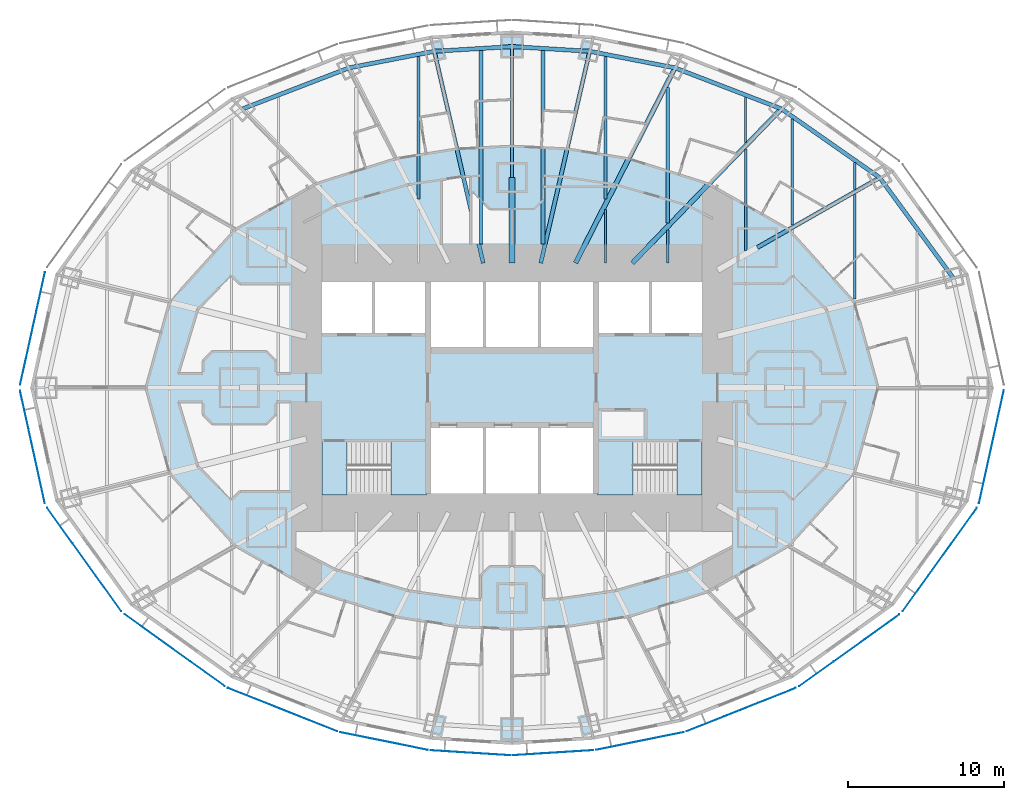
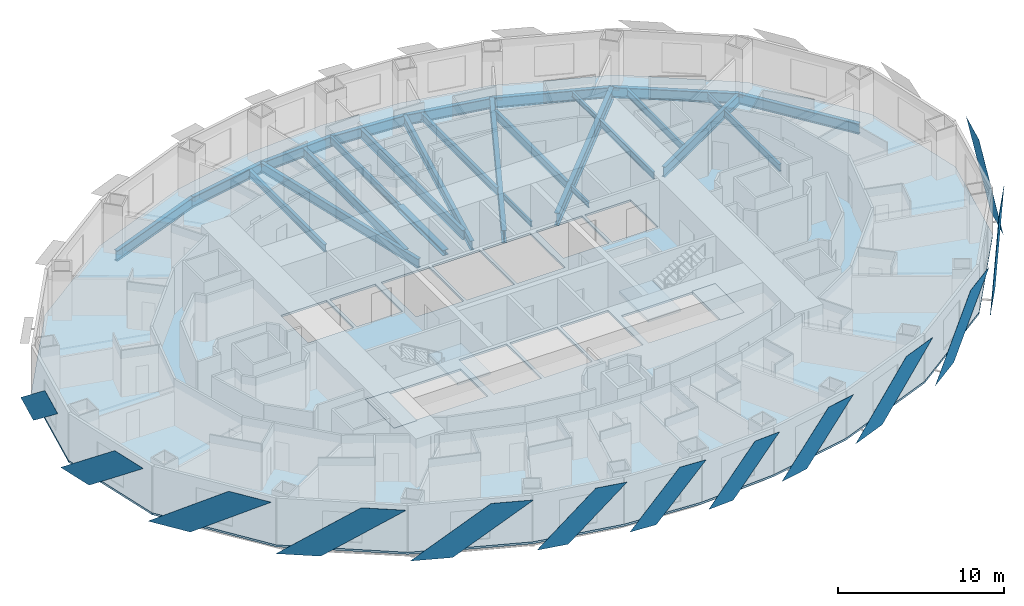
# One storey, part 3 of 17: 27 beams, 13 plates, 5 slabs, 2 elements without a shape of their own.
"""IFC4 building model written with IfcOpenShell, lengths in metres."""

from ifc_helpers import new_model, si_unit, direction, frame, origin, origin_2d, place, context, subcontext, project, spatial, polyline, i_section, outline, extrude, material, layer, layer_set, material_profile, profile_set, type_object, element, aggregate, save


model = new_model("IFC4")

# Units and contexts
model_context = context("Model", 3, precision=1e-05, world=origin(), true_north=direction((0.0, 1.0)))
body_context = subcontext(model_context, "Body", "Model", "MODEL_VIEW")
ifc_project = project(units=[si_unit("LENGTHUNIT", "METRE"), si_unit("AREAUNIT", "SQUARE_METRE"), si_unit("VOLUMEUNIT", "CUBIC_METRE"), si_unit("PLANEANGLEUNIT", "RADIAN"), si_unit("MASSUNIT", "GRAM", prefix="KILO")], contexts=[model_context])

# Site, building, storey
site_placement = place(None, origin())
site = spatial("IfcSite", under=ifc_project, at=site_placement, CompositionType="ELEMENT")
building_placement = place(site_placement, origin())
building = spatial("IfcBuilding", under=site, at=building_placement, Name="Lantaw Convention Tower", CompositionType="ELEMENT")
storey_placement = place(building_placement, frame((0.0, 0.0, 37.0)))
storey = spatial("IfcBuildingStorey", under=building, at=storey_placement, Name="L06", CompositionType="ELEMENT", Elevation=37.0)

# Beams
ifc_material_1 = material(Name="Steel ASTM A992", Category="steel")
ifc_material_profile_1 = material_profile(ifc_material_1, i_section(OverallWidth=0.2666015625, OverallDepth=0.76953125, WebThickness=0.015625, FlangeThickness=0.025390625, FilletRadius=0.0126953125, at=origin_2d()), Name="W30X132")
ifc_profile_set_1 = profile_set([ifc_material_profile_1], Name="Steel ASTM A992")
beam_type_1 = type_object("IfcBeamType", Name="Beam E W30X132", PredefinedType="SPANDREL", material=ifc_profile_set_1)
beam_1_placement = place(storey_placement, frame((28.31787109375, 7.060302734375, -0.534912109375), z_axis=(-0.591270709086, 0.806473154281, 0.0), x_axis=(-0.806473154281, -0.591270709086, 0.0)))
element("IfcBeam", 1, at=beam_1_placement, inside=storey, type_object=beam_type_1, Name="Edge beam 2", PredefinedType="SPANDREL", context=body_context, shape_type="SweptSolid", body=[
    extrude(i_section(OverallWidth=0.2666015625, OverallDepth=0.76953125, WebThickness=0.015625, FlangeThickness=0.025390625, FilletRadius=0.0126953125, at=origin_2d()), origin(), (0.0, 0.0, 1.0), 7.970703125),
])
beam_2_placement = place(storey_placement, frame((23.60498046875, 13.488525390625, -0.534912109375), z_axis=(-0.81942686407, 0.57318375277, 0.0), x_axis=(-0.57318375277, -0.81942686407, 0.0)))
element("IfcBeam", 2, at=beam_2_placement, inside=storey, type_object=beam_type_1, Name="Edge beam 3", PredefinedType="SPANDREL", context=body_context, shape_type="SweptSolid", body=[
    extrude(i_section(OverallWidth=0.2666015625, OverallDepth=0.76953125, WebThickness=0.015625, FlangeThickness=0.025390625, FilletRadius=0.0126953125, at=origin_2d()), origin(), (0.0, 0.0, 1.0), 7.70556640625),
])
beam_3_placement = place(storey_placement, frame((17.290771484375, 17.9052734375, -0.534912109375), z_axis=(-0.933232900641, 0.359271976588, 0.0), x_axis=(-0.359271976588, -0.933232900641, 0.0)))
element("IfcBeam", 3, at=beam_3_placement, inside=storey, type_object=beam_type_1, Name="Edge beam 4", PredefinedType="SPANDREL", context=body_context, shape_type="SweptSolid", body=[
    extrude(i_section(OverallWidth=0.2666015625, OverallDepth=0.76953125, WebThickness=0.015625, FlangeThickness=0.025390625, FilletRadius=0.0126953125, at=origin_2d()), origin(), (0.0, 0.0, 1.0), 7.316650390625),
])
beam_4_placement = place(storey_placement, frame((10.462646484375, 20.533935546875, -0.534912109375), z_axis=(-0.981636565323, 0.190760723474, 0.0), x_axis=(-0.190760723474, -0.981636565323, 0.0)))
element("IfcBeam", 4, at=beam_4_placement, inside=storey, type_object=beam_type_1, Name="Edge beam 5", PredefinedType="SPANDREL", context=body_context, shape_type="SweptSolid", body=[
    extrude(i_section(OverallWidth=0.2666015625, OverallDepth=0.76953125, WebThickness=0.015625, FlangeThickness=0.025390625, FilletRadius=0.0126953125, at=origin_2d()), origin(), (0.0, 0.0, 1.0), 5.578857421875),
])
for number, where, z_axis, x_axis, name in (
    (5, (4.986328125, 21.59814453125, -0.534912109375), (-0.998173858406, 0.060406526096, 0.0), (-0.060406526096, -0.998173858406, 0.0), "Edge beam 6"),
    (6, (0.0, 21.89990234375, -0.534912109375), (-0.998173858406, -0.060406526096, 0.0), (0.060406526096, -0.998173858406, 0.0), "Edge beam 7"),
):
    element("IfcBeam", number, at=place(storey_placement, frame(where, z_axis=z_axis, x_axis=x_axis)), inside=storey, type_object=beam_type_1, Name=name, PredefinedType="SPANDREL", context=body_context, shape_type="SweptSolid", body=[
        extrude(i_section(OverallWidth=0.2666015625, OverallDepth=0.76953125, WebThickness=0.015625, FlangeThickness=0.025390625, FilletRadius=0.0126953125, at=origin_2d()), origin(), (0.0, 0.0, 1.0), 4.995361328125),
    ])
beam_5_placement = place(storey_placement, frame((-4.986328125, 21.59814453125, -0.534912109375), z_axis=(-0.981636565323, -0.190760723474, 0.0), x_axis=(0.190760723474, -0.981636565323, 0.0)))
element("IfcBeam", 7, at=beam_5_placement, inside=storey, type_object=beam_type_1, Name="Edge beam 8", PredefinedType="SPANDREL", context=body_context, shape_type="SweptSolid", body=[
    extrude(i_section(OverallWidth=0.2666015625, OverallDepth=0.76953125, WebThickness=0.015625, FlangeThickness=0.025390625, FilletRadius=0.0126953125, at=origin_2d()), origin(), (0.0, 0.0, 1.0), 5.578857421875),
])
beam_6_placement = place(storey_placement, frame((-10.462646484375, 20.533935546875, -0.534912109375), z_axis=(-0.933232900641, -0.359271976588, 0.0), x_axis=(0.359271976588, -0.933232900641, 0.0)))
element("IfcBeam", 8, at=beam_6_placement, inside=storey, type_object=beam_type_1, Name="Edge beam 9", PredefinedType="SPANDREL", context=body_context, shape_type="SweptSolid", body=[
    extrude(i_section(OverallWidth=0.2666015625, OverallDepth=0.76953125, WebThickness=0.015625, FlangeThickness=0.025390625, FilletRadius=0.0126953125, at=origin_2d()), origin(), (0.0, 0.0, 1.0), 7.316650390625),
])
ifc_material_profile_2 = material_profile(ifc_material_1, i_section(OverallWidth=0.1650390625, OverallDepth=0.52587890625, WebThickness=0.0087890625, FlangeThickness=0.011474609375, FilletRadius=0.0126953125, at=origin_2d()), Name="W21X44")
ifc_profile_set_2 = profile_set([ifc_material_profile_2], Name="Steel ASTM A992")
beam_type_2 = type_object("IfcBeamType", Name="Beam G W21X44", PredefinedType="BEAM", material=ifc_profile_set_2)
beam_7_placement = place(storey_placement, frame((0.0, 13.5, -0.412841796875), z_axis=(0.0, 1.0, 0.0), x_axis=(-1.0, 0.0, 0.0)))
element("IfcBeam", 9, at=beam_7_placement, inside=storey, type_object=beam_type_2, Name="Floor girder on ray 7", PredefinedType="BEAM", context=body_context, shape_type="SweptSolid", body=[
    extrude(i_section(OverallWidth=0.1650390625, OverallDepth=0.52587890625, WebThickness=0.0087890625, FlangeThickness=0.011474609375, FilletRadius=0.0126953125, at=origin_2d()), origin(), (0.0, 0.0, 1.0), 8.39990234375),
])
ifc_material_profile_3 = material_profile(ifc_material_1, i_section(OverallWidth=0.25390625, OverallDepth=0.683349609375, WebThickness=0.012451171875, FlangeThickness=0.01904296875, FilletRadius=0.01513671875, at=origin_2d()), Name="W27X94")
ifc_profile_set_3 = profile_set([ifc_material_profile_3], Name="Steel ASTM A992")
beam_type_3 = type_object("IfcBeamType", Name="Beam G W27X94", PredefinedType="BEAM", material=ifc_profile_set_3)
for number, where, z_axis, x_axis, name in (
    (10, (1.846923828125, 8.0, -0.49169921875), (0.224952773175, 0.97436966796, 0.0), (-0.97436966796, 0.224952773175, 0.0), "Floor girder on ray 6"),
    (11, (-1.846923828125, 8.0, -0.49169921875), (-0.224952773175, 0.97436966796, 0.0), (-0.97436966796, -0.224952773175, 0.0), "Floor girder on ray 8"),
):
    element("IfcBeam", number, at=place(storey_placement, frame(where, z_axis=z_axis, x_axis=x_axis)), inside=storey, type_object=beam_type_3, Name=name, PredefinedType="BEAM", context=body_context, shape_type="SweptSolid", body=[
        extrude(i_section(OverallWidth=0.25390625, OverallDepth=0.683349609375, WebThickness=0.012451171875, FlangeThickness=0.01904296875, FilletRadius=0.01513671875, at=origin_2d()), origin(), (0.0, 0.0, 1.0), 13.955810546875),
    ])
ifc_material_profile_4 = material_profile(ifc_material_1, i_section(OverallWidth=0.2666015625, OverallDepth=0.7568359375, WebThickness=0.013916015625, FlangeThickness=0.019287109375, FilletRadius=0.0126953125, at=origin_2d()), Name="W30X108")
ifc_profile_set_4 = profile_set([ifc_material_profile_4], Name="Steel ASTM A992")
beam_type_4 = type_object("IfcBeamType", Name="Beam G W30X108", PredefinedType="BEAM", material=ifc_profile_set_4)
beam_8_placement = place(storey_placement, frame((15.75, 9.0, -0.528564453125), z_axis=(0.868244802791, 0.496136032179, 0.0), x_axis=(-0.496136032179, 0.868244802791, 0.0)))
element("IfcBeam", 12, at=beam_8_placement, inside=storey, type_object=beam_type_4, Name="Floor girder on ray 3", PredefinedType="BEAM", context=body_context, shape_type="SweptSolid", body=[
    extrude(i_section(OverallWidth=0.2666015625, OverallDepth=0.7568359375, WebThickness=0.013916015625, FlangeThickness=0.019287109375, FilletRadius=0.0126953125, at=origin_2d()), origin(), (0.0, 0.0, 1.0), 9.046875),
])
ifc_material_profile_5 = material_profile(ifc_material_1, i_section(OverallWidth=0.307373046875, OverallDepth=0.922119140625, WebThickness=0.018310546875, FlangeThickness=0.030029296875, FilletRadius=0.0126953125, at=origin_2d()), Name="W36X182")
ifc_profile_set_5 = profile_set([ifc_material_profile_5], Name="Steel ASTM A992")
beam_type_5 = type_object("IfcBeamType", Name="Beam G W36X182", PredefinedType="BEAM", material=ifc_profile_set_5)
beam_9_placement = place(storey_placement, frame((7.7255859375, 8.0, -0.611083984375), z_axis=(0.694649884291, 0.719347995239, 0.0), x_axis=(-0.719347995239, 0.694649884291, 0.0)))
element("IfcBeam", 13, at=beam_9_placement, inside=storey, type_object=beam_type_5, Name="Floor girder on ray 4", PredefinedType="BEAM", context=body_context, shape_type="SweptSolid", body=[
    extrude(i_section(OverallWidth=0.307373046875, OverallDepth=0.922119140625, WebThickness=0.018310546875, FlangeThickness=0.030029296875, FilletRadius=0.0126953125, at=origin_2d()), origin(), (0.0, 0.0, 1.0), 13.769775390625),
])
beam_10_placement = place(storey_placement, frame((4.076171875, 8.0, -0.611083984375), z_axis=(0.453997016122, 0.891003203896, 0.0), x_axis=(-0.891003203896, 0.453997016122, 0.0)))
element("IfcBeam", 14, at=beam_10_placement, inside=storey, type_object=beam_type_5, Name="Floor girder on ray 5", PredefinedType="BEAM", context=body_context, shape_type="SweptSolid", body=[
    extrude(i_section(OverallWidth=0.307373046875, OverallDepth=0.922119140625, WebThickness=0.018310546875, FlangeThickness=0.030029296875, FilletRadius=0.0126953125, at=origin_2d()), origin(), (0.0, 0.0, 1.0), 14.067138671875),
])
ifc_material_profile_6 = material_profile(ifc_material_1, i_section(OverallWidth=0.40380859375, OverallDepth=0.406494140625, WebThickness=0.027099609375, FlangeThickness=0.043701171875, FilletRadius=0.01513671875, at=origin_2d()), Name="W14X233")
ifc_profile_set_6 = profile_set([ifc_material_profile_6], Name="Steel ASTM A992")
beam_type_6 = type_object("IfcBeamType", Name="Beam GM W14X233", PredefinedType="BEAM", material=ifc_profile_set_6)
beam_11_placement = place(storey_placement, frame((0.0, 8.0, -0.353271484375), z_axis=(0.0, 1.0, 0.0), x_axis=(-1.0, 0.0, 0.0)))
element("IfcBeam", 15, at=beam_11_placement, inside=storey, type_object=beam_type_6, Name="Core link beam on ray 7", PredefinedType="BEAM", context=body_context, shape_type="SweptSolid", body=[
    extrude(i_section(OverallWidth=0.40380859375, OverallDepth=0.406494140625, WebThickness=0.027099609375, FlangeThickness=0.043701171875, FilletRadius=0.01513671875, at=origin_2d()), origin(), (0.0, 0.0, 1.0), 5.5),
])
ifc_material_profile_7 = material_profile(ifc_material_1, i_section(OverallWidth=0.140380859375, OverallDepth=0.40380859375, WebThickness=0.007080078125, FlangeThickness=0.01123046875, FilletRadius=0.01025390625, at=origin_2d()), Name="W16X31")
ifc_profile_set_7 = profile_set([ifc_material_profile_7], Name="Steel ASTM A992")
beam_type_7 = type_object("IfcBeamType", Name="Beam J W16X31", PredefinedType="JOIST", material=ifc_profile_set_7)
beam_12_placement = place(storey_placement, frame((6.0, 8.0, -0.35205078125), z_axis=(0.0, 1.0, 0.0), x_axis=(-1.0, 0.0, 0.0)))
element("IfcBeam", 16, at=beam_12_placement, inside=storey, type_object=beam_type_7, Name="Floor joist", PredefinedType="JOIST", context=body_context, shape_type="SweptSolid", body=[
    extrude(i_section(OverallWidth=0.140380859375, OverallDepth=0.40380859375, WebThickness=0.007080078125, FlangeThickness=0.01123046875, FilletRadius=0.01025390625, at=origin_2d()), origin(), (0.0, 0.0, 1.0), 3.437255859375),
])
beam_13_placement = place(storey_placement, frame((10.0, 8.0, -0.35205078125), z_axis=(0.0, 1.0, 0.0), x_axis=(-1.0, 0.0, 0.0)))
element("IfcBeam", 17, at=beam_13_placement, inside=storey, type_object=beam_type_7, Name="Floor joist", PredefinedType="JOIST", context=body_context, shape_type="SweptSolid", body=[
    extrude(i_section(OverallWidth=0.140380859375, OverallDepth=0.40380859375, WebThickness=0.007080078125, FlangeThickness=0.01123046875, FilletRadius=0.01025390625, at=origin_2d()), origin(), (0.0, 0.0, 1.0), 2.134033203125),
])
beam_14_placement = place(storey_placement, frame((15.0, 15.754150390625, -0.35205078125), z_axis=(0.0, 1.0, 0.0), x_axis=(-1.0, 0.0, 0.0)))
element("IfcBeam", 18, at=beam_14_placement, inside=storey, type_object=beam_type_7, Name="Floor joist", PredefinedType="JOIST", context=body_context, shape_type="SweptSolid", body=[
    extrude(i_section(OverallWidth=0.140380859375, OverallDepth=0.40380859375, WebThickness=0.007080078125, FlangeThickness=0.01123046875, FilletRadius=0.01025390625, at=origin_2d()), origin(), (0.0, 0.0, 1.0), 2.89013671875),
])
beam_15_placement = place(storey_placement, frame((22.0, 12.72509765625, -0.35205078125), z_axis=(0.0, 1.0, 0.0), x_axis=(-1.0, 0.0, 0.0)))
element("IfcBeam", 19, at=beam_15_placement, inside=storey, type_object=beam_type_7, Name="Floor joist", PredefinedType="JOIST", context=body_context, shape_type="SweptSolid", body=[
    extrude(i_section(OverallWidth=0.140380859375, OverallDepth=0.40380859375, WebThickness=0.007080078125, FlangeThickness=0.01123046875, FilletRadius=0.01025390625, at=origin_2d()), origin(), (0.0, 0.0, 1.0), 1.723388671875),
])
ifc_material_profile_8 = material_profile(ifc_material_1, i_section(OverallWidth=0.1650390625, OverallDepth=0.52587890625, WebThickness=0.0087890625, FlangeThickness=0.011474609375, FilletRadius=0.0126953125, at=origin_2d()), Name="W21X44")
ifc_profile_set_8 = profile_set([ifc_material_profile_8], Name="Steel ASTM A992")
beam_type_8 = type_object("IfcBeamType", Name="Beam J W21X44", PredefinedType="JOIST", material=ifc_profile_set_8)
beam_16_placement = place(storey_placement, frame((15.0, 8.803955078125, -0.412841796875), z_axis=(0.0, 1.0, 0.0), x_axis=(-1.0, 0.0, 0.0)))
element("IfcBeam", 20, at=beam_16_placement, inside=storey, type_object=beam_type_8, Name="Floor joist", PredefinedType="JOIST", context=body_context, shape_type="SweptSolid", body=[
    extrude(i_section(OverallWidth=0.1650390625, OverallDepth=0.52587890625, WebThickness=0.0087890625, FlangeThickness=0.011474609375, FilletRadius=0.0126953125, at=origin_2d()), origin(), (0.0, 0.0, 1.0), 6.5078125),
])
beam_17_placement = place(storey_placement, frame((18.0, 10.439208984375, -0.412841796875), z_axis=(0.0, 1.0, 0.0), x_axis=(-1.0, 0.0, 0.0)))
element("IfcBeam", 21, at=beam_17_placement, inside=storey, type_object=beam_type_8, Name="Floor joist", PredefinedType="JOIST", context=body_context, shape_type="SweptSolid", body=[
    extrude(i_section(OverallWidth=0.1650390625, OverallDepth=0.52587890625, WebThickness=0.0087890625, FlangeThickness=0.011474609375, FilletRadius=0.0126953125, at=origin_2d()), origin(), (0.0, 0.0, 1.0), 6.80712890625),
])
beam_18_placement = place(storey_placement, frame((22.0, 5.693359375, -0.412841796875), z_axis=(0.0, 1.0, 0.0), x_axis=(-1.0, 0.0, 0.0)))
element("IfcBeam", 22, at=beam_18_placement, inside=storey, type_object=beam_type_8, Name="Floor joist", PredefinedType="JOIST", context=body_context, shape_type="SweptSolid", body=[
    extrude(i_section(OverallWidth=0.1650390625, OverallDepth=0.52587890625, WebThickness=0.0087890625, FlangeThickness=0.011474609375, FilletRadius=0.0126953125, at=origin_2d()), origin(), (0.0, 0.0, 1.0), 6.724609375),
])
ifc_material_profile_9 = material_profile(ifc_material_1, i_section(OverallWidth=0.2099609375, OverallDepth=0.535888671875, WebThickness=0.010986328125, FlangeThickness=0.017333984375, FilletRadius=0.012939453125, at=origin_2d()), Name="W21X68")
ifc_profile_set_9 = profile_set([ifc_material_profile_9], Name="Steel ASTM A992")
beam_type_9 = type_object("IfcBeamType", Name="Beam J W21X68", PredefinedType="JOIST", material=ifc_profile_set_9)
for number, where, z_axis, x_axis, name in (
    (23, (-6.0, 12.1142578125, -0.41796875), (0.0, 1.0, 0.0), (-1.0, 0.0, 0.0), "Floor joist"),
    (24, (6.0, 12.1142578125, -0.41796875), (0.0, 1.0, 0.0), (-1.0, 0.0, 0.0), "Floor joist"),
):
    element("IfcBeam", number, at=place(storey_placement, frame(where, z_axis=z_axis, x_axis=x_axis)), inside=storey, type_object=beam_type_9, Name=name, PredefinedType="JOIST", context=body_context, shape_type="SweptSolid", body=[
        extrude(i_section(OverallWidth=0.2099609375, OverallDepth=0.535888671875, WebThickness=0.010986328125, FlangeThickness=0.017333984375, FilletRadius=0.012939453125, at=origin_2d()), origin(), (0.0, 0.0, 1.0), 9.15087890625),
    ])
ifc_material_profile_10 = material_profile(ifc_material_1, i_section(OverallWidth=0.227783203125, OverallDepth=0.60205078125, WebThickness=0.010498046875, FlangeThickness=0.014892578125, FilletRadius=0.012939453125, at=origin_2d()), Name="W24X68")
ifc_profile_set_10 = profile_set([ifc_material_profile_10], Name="Steel ASTM A992")
beam_type_10 = type_object("IfcBeamType", Name="Beam J W24X68", PredefinedType="JOIST", material=ifc_profile_set_10)
beam_19_placement = place(storey_placement, frame((10.0, 10.576416015625, -0.450927734375), z_axis=(0.0, 1.0, 0.0), x_axis=(-1.0, 0.0, 0.0)))
element("IfcBeam", 25, at=beam_19_placement, inside=storey, type_object=beam_type_10, Name="Floor joist", PredefinedType="JOIST", context=body_context, shape_type="SweptSolid", body=[
    extrude(i_section(OverallWidth=0.227783203125, OverallDepth=0.60205078125, WebThickness=0.010498046875, FlangeThickness=0.014892578125, FilletRadius=0.012939453125, at=origin_2d()), origin(), (0.0, 0.0, 1.0), 8.711181640625),
])
ifc_material_profile_11 = material_profile(ifc_material_1, i_section(OverallWidth=0.25390625, OverallDepth=0.700927734375, WebThickness=0.015380859375, FlangeThickness=0.02783203125, FilletRadius=0.01513671875, at=origin_2d()), Name="W27X129")
ifc_profile_set_11 = profile_set([ifc_material_profile_11], Name="Steel ASTM A992")
beam_type_11 = type_object("IfcBeamType", Name="Beam J W27X129", PredefinedType="JOIST", material=ifc_profile_set_11)
for number, where, z_axis, x_axis, name in (
    (26, (-2.0, 9.2275390625, -0.50048828125), (0.0, 1.0, 0.0), (-1.0, 0.0, 0.0), "Floor joist"),
    (27, (2.0, 9.2275390625, -0.50048828125), (0.0, 1.0, 0.0), (-1.0, 0.0, 0.0), "Floor joist"),
):
    element("IfcBeam", number, at=place(storey_placement, frame(where, z_axis=z_axis, x_axis=x_axis)), inside=storey, type_object=beam_type_11, Name=name, PredefinedType="JOIST", context=body_context, shape_type="SweptSolid", body=[
        extrude(i_section(OverallWidth=0.25390625, OverallDepth=0.700927734375, WebThickness=0.015380859375, FlangeThickness=0.02783203125, FilletRadius=0.01513671875, at=origin_2d()), origin(), (0.0, 0.0, 1.0), 12.417724609375),
    ])

# Slab
ifc_material_2 = material(Name="Concrete C35/45", Category="concrete")
ifc_layer_1 = layer(ifc_material_2, 0.14990234375)
ifc_layer_set_1 = layer_set([ifc_layer_1], Name="Floor slab 150")
slab_type_1 = type_object("IfcSlabType", Name="Floor slab 150", PredefinedType="FLOOR", material=ifc_layer_set_1)
slab_1_placement = place(storey_placement, frame((0.0, 0.0, -0.14990234375)))
element("IfcSlab", 28, at=slab_1_placement, inside=storey, type_object=slab_type_1, Name="L06 floor slab", PredefinedType="FLOOR", context=body_context, shape_type="SweptSolid", body=[
    extrude(outline(polyline([(29.315185546875, -7.29541015625), (30.923095703125, 0.0), (29.315185546875, 7.29541015625), (24.50634765625, 13.98046875), (18.018798828125, 18.630126953125), (10.9404296875, 21.44189453125), (5.223876953125, 22.59521484375), (0.0, 22.9248046875), (-5.223876953125, 22.59521484375), (-10.9404296875, 21.44189453125), (-18.018798828125, 18.630126953125), (-24.50634765625, 13.98046875), (-29.315185546875, 7.29541015625), (-30.923095703125, 0.0), (-29.315185546875, -7.29541015625), (-24.50634765625, -13.98046875), (-18.018798828125, -18.630126953125), (-10.9404296875, -21.44189453125), (-5.223876953125, -22.59521484375), (0.0, -22.9248046875), (5.223876953125, -22.59521484375), (10.9404296875, -21.44189453125), (18.018798828125, -18.630126953125), (24.50634765625, -13.98046875), (29.315185546875, -7.29541015625)]), holes=[polyline([(-5.60009765625, -3.5), (-12.199951171875, -3.5), (-12.199951171875, -6.800048828125), (-5.60009765625, -6.800048828125), (-5.60009765625, -3.5)]), polyline([(-1.86669921875, -6.800048828125), (-1.86669921875, -2.60009765625), (-5.199951171875, -2.60009765625), (-5.199951171875, -6.800048828125), (-1.86669921875, -6.800048828125)]), polyline([(-1.86669921875, 2.60009765625), (-1.86669921875, 6.800048828125), (-5.199951171875, 6.800048828125), (-5.199951171875, 2.60009765625), (-1.86669921875, 2.60009765625)]), polyline([(1.666748046875, 6.800048828125), (-1.666748046875, 6.800048828125), (-1.666748046875, 2.60009765625), (1.666748046875, 2.60009765625), (1.666748046875, 6.800048828125)]), polyline([(-9.0, 3.5), (-9.0, 6.800048828125), (-12.199951171875, 6.800048828125), (-12.199951171875, 3.5), (-9.0, 3.5)]), polyline([(-5.60009765625, 3.5), (-5.60009765625, 6.800048828125), (-8.800048828125, 6.800048828125), (-8.800048828125, 3.5), (-5.60009765625, 3.5)]), polyline([(12.199951171875, -3.5), (5.60009765625, -3.5), (5.60009765625, -6.800048828125), (12.199951171875, -6.800048828125), (12.199951171875, -3.5)]), polyline([(1.666748046875, -6.800048828125), (1.666748046875, -2.60009765625), (-1.666748046875, -2.60009765625), (-1.666748046875, -6.800048828125), (1.666748046875, -6.800048828125)]), polyline([(5.199951171875, -6.800048828125), (5.199951171875, -2.60009765625), (1.86669921875, -2.60009765625), (1.86669921875, -6.800048828125), (5.199951171875, -6.800048828125)]), polyline([(5.199951171875, 6.800048828125), (1.86669921875, 6.800048828125), (1.86669921875, 2.60009765625), (5.199951171875, 2.60009765625), (5.199951171875, 6.800048828125)]), polyline([(8.800048828125, 3.5), (8.800048828125, 6.800048828125), (5.60009765625, 6.800048828125), (5.60009765625, 3.5), (8.800048828125, 3.5)]), polyline([(12.199951171875, 3.5), (12.199951171875, 6.800048828125), (9.0, 6.800048828125), (9.0, 3.5), (12.199951171875, 3.5)])]), origin(), (0.0, 0.0, 1.0), 0.14990234375),
])

# Plates
ifc_material_3 = material(Name="Perforated aluminium sheet, pale silver finish", Category="aluminium")
ifc_layer_2 = layer(ifc_material_3, 0.006103515625)
ifc_layer_set_2 = layer_set([ifc_layer_2], Name="Perforated aluminium solar SCREEN panel")
plate_type = type_object("IfcPlateType", Name="Perforated aluminium solar SCREEN panel", PredefinedType="SHEET", material=ifc_layer_set_2)
plate_1_placement = place(storey_placement, frame((-29.98779296875, 7.408203125, -0.175048828125), z_axis=(-0.97655943558, 0.215247921852, 3.0295023e-05), x_axis=(-0.215247921951, -0.976559436028, -3.12e-10)))
element("IfcPlate", 29, at=plate_1_placement, inside=storey, type_object=plate_type, Name="Solar SCREEN panel", PredefinedType="SHEET", context=body_context, shape_type="SweptSolid", body=[
    extrude(outline(polyline([(0.0, 0.0), (2.5507637944980077, 6.776263578034403e-21), (7.402498250651261, 3.7399902384013473), (4.851496038322192, 3.739990236809246), (0.0, 0.0)])), origin(), (0.0, 0.0, -1.0), 0.006103515625),
])
plate_2_placement = place(storey_placement, frame((-31.5810546875, -0.17919921875, -0.175048828125), z_axis=(0.97655943558, 0.215247921852, 3.0295023e-05), x_axis=(0.215247921951, -0.976559436028, 3.12e-10)))
element("IfcPlate", 30, at=plate_2_placement, inside=storey, type_object=plate_type, Name="Solar SCREEN panel", PredefinedType="SHEET", context=body_context, shape_type="SweptSolid", body=[
    extrude(outline(polyline([(0.0, 0.0), (2.551002212329069, 3.3881317890172014e-21), (7.402498252985418, -3.739990233781388), (4.851734458487411, -3.7399902353733405), (0.0, 0.0)])), origin(), (0.0, 0.0, -1.0), 0.006103515625),
])
plate_3_placement = place(storey_placement, frame((-29.847900390625, -7.720947265625, -0.175048828125), z_axis=(-0.811791382613, -0.583947558463, 9.019268e-06), x_axis=(0.583947558486, -0.811791382646, 0.0)))
element("IfcPlate", 31, at=plate_3_placement, inside=storey, type_object=plate_type, Name="Solar SCREEN panel", PredefinedType="SHEET", context=body_context, shape_type="SweptSolid", body=[
    extrude(outline(polyline([(0.0, 0.0), (2.809541672291133, 0.0), (8.163093158837512, 3.739990234527119), (5.353551486546379, 3.739990234527119), (0.0, 0.0)])), origin(), (0.0, 0.0, -1.0), 0.006103515625),
])
plate_4_placement = place(storey_placement, frame((-24.872314453125, -14.555908203125, -0.175048828125), z_axis=(-0.582561421998, -0.812786681331, 1.5819417e-05), x_axis=(0.812786681433, -0.582561422071, 0.0)))
element("IfcPlate", 32, at=plate_4_placement, inside=storey, type_object=plate_type, Name="Solar SCREEN panel", PredefinedType="SHEET", context=body_context, shape_type="SweptSolid", body=[
    extrude(outline(polyline([(0.0, 0.0), (2.721095180812288, 3.3881317890172014e-21), (7.903118572410756, 3.739990234842974), (5.182023391598468, 3.739990234842974), (0.0, 0.0)])), origin(), (0.0, 0.0, -1.0), 0.006103515625),
])
plate_5_placement = place(storey_placement, frame((-18.232177734375, -19.278076171875, -0.175048828125), z_axis=(0.369183532846, 0.929356508016, 9.163296e-06), x_axis=(0.929356508055, -0.369183532862, 0.0)))
element("IfcPlate", 33, at=plate_5_placement, inside=storey, type_object=plate_type, Name="Solar SCREEN panel", PredefinedType="SHEET", context=body_context, shape_type="SweptSolid", body=[
    extrude(outline(polyline([(0.0, 0.0), (2.594936467166582, -1.6940658945086007e-21), (7.5321069917580825, -3.739990234532016), (4.937170524591499, -3.739990234532016), (0.0, 0.0)])), origin(), (0.0, 0.0, -1.0), 0.006103515625),
])
plate_6_placement = place(storey_placement, frame((-11.03271484375, -22.117919921875, -0.175048828125), z_axis=(0.197781876197, 0.980246055561, 2.418535e-06), x_axis=(0.980246055563, -0.197781876198, 1.46e-10)))
element("IfcPlate", 34, at=plate_6_placement, inside=storey, type_object=plate_type, Name="Solar SCREEN panel", PredefinedType="SHEET", context=body_context, shape_type="SweptSolid", body=[
    extrude(outline(polyline([(0.0, 0.0), (1.9867801772236329, -3.1763735522036263e-22), (5.743587245978565, -3.7399902335493134), (3.7568553553458006, -3.739990234128105), (0.0, 0.0)])), origin(), (0.0, 0.0, -1.0), 0.006103515625),
])
plate_7_placement = place(storey_placement, frame((-5.221923828125, -23.27783203125, -0.175048828125), z_axis=(0.062923905251, 0.998018327468, 1.3605496e-05), x_axis=(0.998018327561, -0.062923905257, 9.3e-10)))
element("IfcPlate", 35, at=plate_7_placement, inside=storey, type_object=plate_type, Name="Solar SCREEN panel", PredefinedType="SHEET", context=body_context, shape_type="SweptSolid", body=[
    extrude(outline(polyline([(0.0, 0.0), (1.7828375409377817, -2.117582368135751e-22), (5.143985963027618, -3.739990229938699), (3.3611637843713935, -3.7399902332537565), (0.0, 0.0)])), origin(), (0.0, 0.0, -1.0), 0.006103515625),
])
plate_8_placement = place(storey_placement, frame((0.088134765625, -23.6015625, -0.175048828125), z_axis=(0.062923905251, -0.998018327468, 1.3605496e-05), x_axis=(0.998018327561, 0.062923905257, -9.3e-10)))
element("IfcPlate", 36, at=plate_8_placement, inside=storey, type_object=plate_type, Name="Solar SCREEN panel", PredefinedType="SHEET", context=body_context, shape_type="SweptSolid", body=[
    extrude(outline(polyline([(0.0, 0.0), (1.782822178656225, -2.117582368135751e-22), (5.143985956073316, 3.7399902395036517), (3.3611484151355353, 3.7399902361885653), (0.0, 0.0)])), origin(), (0.0, 0.0, -1.0), 0.006103515625),
])
plate_9_placement = place(storey_placement, frame((5.402587890625, -23.25390625, -0.175048828125), z_axis=(0.197781876197, -0.980246055561, 2.418535e-06), x_axis=(0.980246055563, 0.197781876198, -1.46e-10)))
element("IfcPlate", 37, at=plate_9_placement, inside=storey, type_object=plate_type, Name="Solar SCREEN panel", PredefinedType="SHEET", context=body_context, shape_type="SweptSolid", body=[
    extrude(outline(polyline([(0.0, 0.0), (1.9867318906327642, 1.0587911840678754e-22), (5.743587244888999, 3.7399902352225842), (3.7568070676653664, 3.7399902346437783), (0.0, 0.0)])), origin(), (0.0, 0.0, -1.0), 0.006103515625),
])
plate_10_placement = place(storey_placement, frame((11.232177734375, -22.058837890625, -0.175048828125), z_axis=(0.369183532846, -0.929356508016, 9.163296e-06), x_axis=(0.929356508055, 0.369183532862, 0.0)))
element("IfcPlate", 38, at=plate_10_placement, inside=storey, type_object=plate_type, Name="Solar SCREEN panel", PredefinedType="SHEET", context=body_context, shape_type="SweptSolid", body=[
    extrude(outline(polyline([(0.0, 0.0), (2.594936467166582, 1.6940658945086007e-21), (7.5321069917580825, 3.739990234532016), (4.937170524591499, 3.739990234532016), (0.0, 0.0)])), origin(), (0.0, 0.0, -1.0), 0.006103515625),
])
plate_11_placement = place(storey_placement, frame((18.44873046875, -19.159912109375, -0.175048828125), z_axis=(-0.582561421998, 0.812786681331, 1.5819417e-05), x_axis=(0.812786681433, 0.582561422071, 0.0)))
element("IfcPlate", 39, at=plate_11_placement, inside=storey, type_object=plate_type, Name="Solar SCREEN panel", PredefinedType="SHEET", context=body_context, shape_type="SweptSolid", body=[
    extrude(outline(polyline([(0.0, 0.0), (2.721095180812288, -3.3881317890172014e-21), (7.903118572410756, -3.739990234842974), (5.182023391598468, -3.739990234842974), (0.0, 0.0)])), origin(), (0.0, 0.0, -1.0), 0.006103515625),
])
plate_12_placement = place(storey_placement, frame((25.0810546875, -14.34765625, -0.175048828125), z_axis=(-0.811791382613, 0.583947558463, 9.019268e-06), x_axis=(0.583947558486, 0.811791382646, 0.0)))
element("IfcPlate", 40, at=plate_12_placement, inside=storey, type_object=plate_type, Name="Solar SCREEN panel", PredefinedType="SHEET", context=body_context, shape_type="SweptSolid", body=[
    extrude(outline(polyline([(0.0, 0.0), (2.809541672291133, 0.0), (8.163093158837512, -3.739990234527119), (5.353551486546379, -3.739990234527119), (0.0, 0.0)])), origin(), (0.0, 0.0, -1.0), 0.006103515625),
])
plate_13_placement = place(storey_placement, frame((29.98779296875, -7.408203125, -0.175048828125), z_axis=(0.97655943558, -0.215247921852, 3.0295023e-05), x_axis=(0.215247921951, 0.976559436028, -3.12e-10)))
element("IfcPlate", 41, at=plate_13_placement, inside=storey, type_object=plate_type, Name="Solar SCREEN panel", PredefinedType="SHEET", context=body_context, shape_type="SweptSolid", body=[
    extrude(outline(polyline([(0.0, 0.0), (2.5507637944980077, 6.776263578034403e-21), (7.402498250651261, 3.7399902384013473), (4.851496038322192, 3.739990236809246), (0.0, 0.0)])), origin(), (0.0, 0.0, -1.0), 0.006103515625),
])

# Stair, slabs
stair_type = type_object("IfcStairType", Name="Exit stair 1500 riser 163.64 in 2 flights", PredefinedType="HALF_TURN_STAIR", material=ifc_material_2)
stair_1_placement = place(storey_placement, origin())
stair_1 = element("IfcStair", 42, at=stair_1_placement, inside=storey, type_object=stair_type, Name="Exit stair S1 L06", PredefinedType="HALF_TURN_STAIR")
ifc_layer_3 = layer(ifc_material_2, 0.199951171875)
ifc_layer_set_3 = layer_set([ifc_layer_3], Name="Stair landing 200")
slab_type_2 = type_object("IfcSlabType", Name="Stair landing 200", PredefinedType="LANDING", material=ifc_layer_set_3)
slab_2_placement = place(storey_placement, frame((0.0, 0.0, -0.199951171875)))
slab_2 = element("IfcSlab", 43, at=slab_2_placement, type_object=slab_type_2, Name="S1 landing 1", PredefinedType="LANDING", context=body_context, shape_type="SweptSolid", body=[
    extrude(outline(polyline([(-12.199951171875, -6.89990234375), (-10.580078125, -6.89990234375), (-10.580078125, -3.39990234375), (-12.199951171875, -3.39990234375), (-12.199951171875, -6.89990234375)])), origin(), (0.0, 0.0, 1.0), 0.199951171875),
])
slab_3_placement = place(storey_placement, frame((0.0, 0.0, 1.60009765625)))
slab_3 = element("IfcSlab", 44, at=slab_3_placement, type_object=slab_type_2, Name="S1 landing 2", PredefinedType="LANDING", context=body_context, shape_type="SweptSolid", body=[
    extrude(outline(polyline([(-7.780029296875, -6.89990234375), (-5.5, -6.89990234375), (-5.5, -3.39990234375), (-7.780029296875, -3.39990234375), (-7.780029296875, -6.89990234375)])), origin(), (0.0, 0.0, 1.0), 0.199951171875),
])
aggregate(stair_1, [slab_2, slab_3])

stair_2_placement = place(storey_placement, origin())
stair_2 = element("IfcStair", 45, at=stair_2_placement, inside=storey, type_object=stair_type, Name="Exit stair S2 L06", PredefinedType="HALF_TURN_STAIR")
slab_4_placement = place(storey_placement, frame((0.0, 0.0, -0.199951171875)))
slab_4 = element("IfcSlab", 46, at=slab_4_placement, type_object=slab_type_2, Name="S2 landing 1", PredefinedType="LANDING", context=body_context, shape_type="SweptSolid", body=[
    extrude(outline(polyline([(10.580078125, -6.89990234375), (12.199951171875, -6.89990234375), (12.199951171875, -3.39990234375), (10.580078125, -3.39990234375), (10.580078125, -6.89990234375)])), origin(), (0.0, 0.0, 1.0), 0.199951171875),
])
slab_5_placement = place(storey_placement, frame((0.0, 0.0, 1.60009765625)))
slab_5 = element("IfcSlab", 47, at=slab_5_placement, type_object=slab_type_2, Name="S2 landing 2", PredefinedType="LANDING", context=body_context, shape_type="SweptSolid", body=[
    extrude(outline(polyline([(5.5, -6.89990234375), (7.780029296875, -6.89990234375), (7.780029296875, -3.39990234375), (5.5, -3.39990234375), (5.5, -6.89990234375)])), origin(), (0.0, 0.0, 1.0), 0.199951171875),
])
aggregate(stair_2, [slab_4, slab_5])

save(model, "model.ifc")
